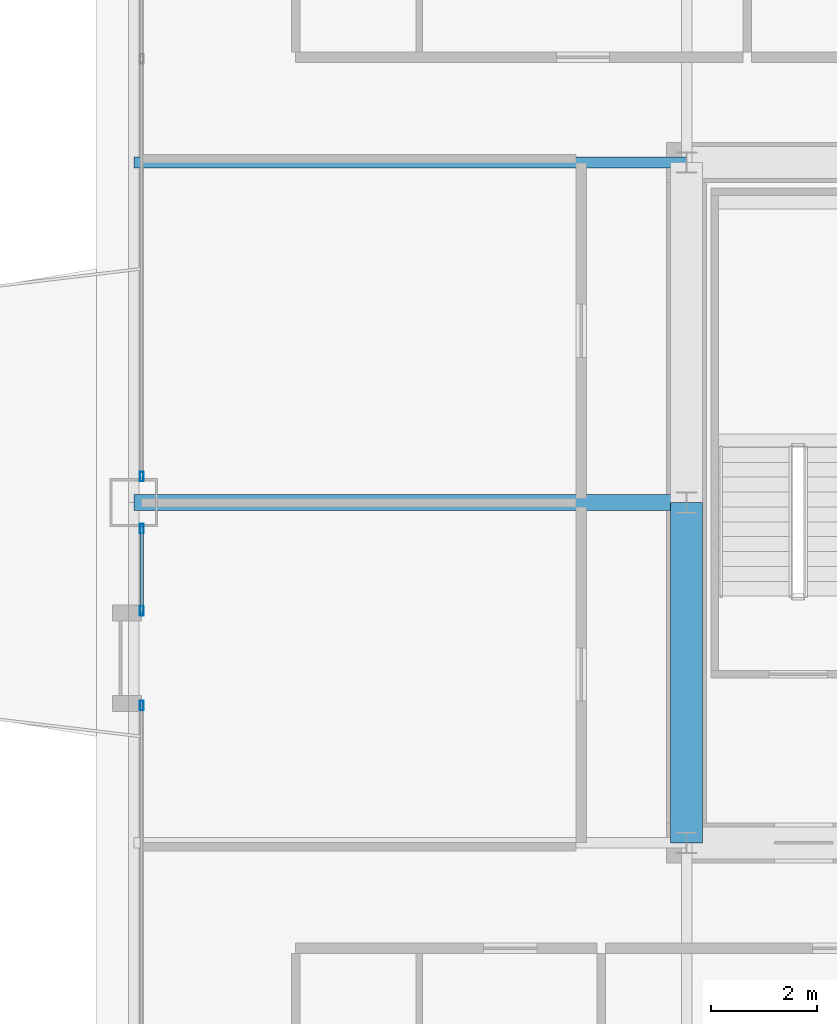
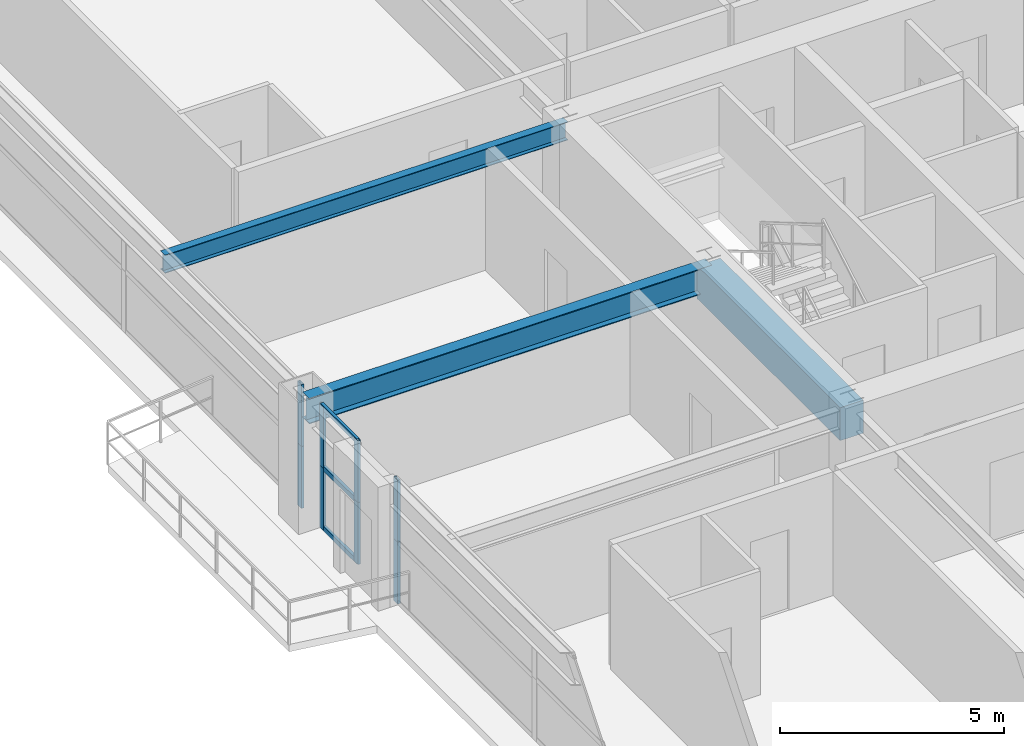
# One storey, part 13 of 42: 11 members, 3 beams, 3 elements without a shape of their own.
"""IFC4 building model written with IfcOpenShell, lengths in metres."""

from ifc_helpers import new_model, si_unit, direction, frame, origin, origin_2d, place, context, subcontext, project, spatial, rectangle, hollow_rectangle, i_section, extrude, source, transform, mapped, material, layer, layer_set, material_profile, profile_set, type_object, element, aggregate, save


model = new_model("IFC4")

# Units and contexts
model_context = context("Model", 3, precision=1e-05, world=origin(), true_north=direction((0.0, 1.0)))
body_context = subcontext(model_context, "Body", "Model", "MODEL_VIEW")
ifc_project = project(units=[si_unit("LENGTHUNIT", "METRE"), si_unit("AREAUNIT", "SQUARE_METRE"), si_unit("VOLUMEUNIT", "CUBIC_METRE"), si_unit("PLANEANGLEUNIT", "RADIAN"), si_unit("MASSUNIT", "GRAM", prefix="KILO"), si_unit("THERMODYNAMICTEMPERATUREUNIT", "KELVIN"), si_unit("POWERUNIT", "WATT")], contexts=[model_context])

# Site, building, storey
site_placement = place(None, origin())
site = spatial("IfcSite", under=ifc_project, at=site_placement, CompositionType="ELEMENT")
building_placement = place(site_placement, origin())
building = spatial("IfcBuilding", under=site, at=building_placement, Name="Yuzanri Waterfront Tower", CompositionType="ELEMENT")
storey_placement = place(building_placement, frame((0.0, 0.0, 145.199951171875)))
storey = spatial("IfcBuildingStorey", under=building, at=storey_placement, Name="L38", CompositionType="ELEMENT", Elevation=145.199951171875)

# Beams
ifc_material_1 = material(Name="Concrete C60", Category="concrete")
ifc_material_profile_1 = material_profile(ifc_material_1, rectangle(XDim=0.60009765625, YDim=0.89990234375, at=origin_2d()), Name="RC 600x900")
ifc_profile_set_1 = profile_set([ifc_material_profile_1], Name="Concrete C60")
beam_type_1 = type_object("IfcBeamType", Name="Core Coupling Lintel Concrete C60 600x900", PredefinedType="LINTEL", material=ifc_profile_set_1)
shared_shape_1 = source(origin(), body_context, "Body", "SweptSolid", [
    extrude(rectangle(XDim=0.60009765625, YDim=0.89990234375, at=origin_2d()), origin(), (0.0, 0.0, 1.0), 6.400146484375),
])
beam_1_placement = place(storey_placement, frame((23.800048828125, 19.39990234375, 2.929931640625), z_axis=(0.0, 1.0, 0.0), x_axis=(-1.0, 0.0, 0.0)))
element("IfcBeam", 1, at=beam_1_placement, inside=storey, type_object=beam_type_1, Name="L38 Core Tie Beam CW1", PredefinedType="LINTEL", context=body_context, shape_type="MappedRepresentation", body=[
    mapped(shared_shape_1, transform((0.0, 0.0, 0.0), scale=1.0)),
])
ifc_material_2 = material(Name="Steel Q355B", Category="steel")
ifc_material_profile_2 = material_profile(ifc_material_2, i_section(OverallWidth=0.300048828125, OverallDepth=0.699951171875, WebThickness=0.012939453125, FlangeThickness=0.02392578125, at=origin_2d()), Name="HN 700x300x13x24")
ifc_profile_set_2 = profile_set([ifc_material_profile_2], Name="Steel Q355B")
beam_type_2 = type_object("IfcBeamType", Name="Primary Floor Girder Q355B HN 700x300", PredefinedType="BEAM", material=ifc_profile_set_2)
shared_shape_2 = source(origin(), body_context, "Body", "SweptSolid", [
    extrude(i_section(OverallWidth=0.300048828125, OverallDepth=0.699951171875, WebThickness=0.012939453125, FlangeThickness=0.02392578125, at=origin_2d()), origin(), (0.0, 0.0, 1.0), 10.400146484375),
])
beam_2_placement = place(storey_placement, frame((23.800048828125, 25.800048828125, 3.030029296875), z_axis=(-1.0, 0.0, 0.0), x_axis=(0.0, -1.0, 0.0)))
element("IfcBeam", 2, at=beam_2_placement, inside=storey, type_object=beam_type_2, Name="L38 West Grid Girder", PredefinedType="BEAM", context=body_context, shape_type="MappedRepresentation", body=[
    mapped(shared_shape_2, transform((0.0, 0.0, 0.0), scale=1.0)),
])
ifc_material_3 = material(Name="Steel Q355B", Category="steel")
ifc_material_profile_3 = material_profile(ifc_material_3, i_section(OverallWidth=0.199951171875, OverallDepth=0.5, WebThickness=0.010009765625, FlangeThickness=0.01611328125, at=origin_2d()), Name="HN 500x200x10x16")
ifc_profile_set_3 = profile_set([ifc_material_profile_3], Name="Steel Q355B")
beam_type_3 = type_object("IfcBeamType", Name="Secondary Floor Beam Q355B HN 500x200", PredefinedType="BEAM", material=ifc_profile_set_3)
shared_shape_3 = source(origin(), body_context, "Body", "SweptSolid", [
    extrude(i_section(OverallWidth=0.199951171875, OverallDepth=0.5, WebThickness=0.010009765625, FlangeThickness=0.01611328125, at=origin_2d()), origin(), (0.0, 0.0, 1.0), 10.400146484375),
])
beam_3_placement = place(storey_placement, frame((23.800048828125, 32.199951171875, 3.130126953125), z_axis=(-1.0, 0.0, 0.0), x_axis=(0.0, -1.0, 0.0)))
element("IfcBeam", 3, at=beam_3_placement, inside=storey, type_object=beam_type_3, Name="L38 West-North Core Line Beam", PredefinedType="BEAM", context=body_context, shape_type="MappedRepresentation", body=[
    mapped(shared_shape_3, transform((0.0, 0.0, 0.0), scale=1.0)),
])

# Curtain wall, members
ifc_material_4 = material(Name="Anodized Architectural Bronze", Category="metal")
ifc_layer = layer(ifc_material_4, 0.159912109375)
ifc_layer_set = layer_set([ifc_layer], Name="Anodized Architectural Bronze")
curtain_wall_type = type_object("IfcCurtainWallType", Name="Anodized Bronze Hotel Upper-Tier Solar-Control Unitized Curtain Wall 7800", PredefinedType="NOTDEFINED", material=ifc_layer_set)
curtain_wall_1_placement = place(storey_placement, origin())
curtain_wall_1 = element("IfcCurtainWall", 4, at=curtain_wall_1_placement, inside=storey, type_object=curtain_wall_type, Name="L38 Curtain Wall CW-L38-WL1", PredefinedType="NOTDEFINED")
ifc_material_5 = material(Name="Anodized Architectural Bronze", Category="metal")
ifc_material_profile_4 = material_profile(ifc_material_5, hollow_rectangle(XDim=0.070068359375, YDim=0.179931640625, WallThickness=0.00390625, at=origin_2d()), Name="CWM 70x180")
ifc_profile_set_4 = profile_set([ifc_material_profile_4], Name="Anodized Architectural Bronze")
member_type_1 = type_object("IfcMemberType", Name="Anodized Bronze Standard Curtain-Wall Mullion 70x180", PredefinedType="MULLION", material=ifc_profile_set_4)
shared_shape_4 = source(origin(), body_context, "Body", "SweptSolid", [
    extrude(hollow_rectangle(XDim=0.070068359375, YDim=0.179931640625, WallThickness=0.00390625, at=origin_2d()), origin(), (0.0, 0.0, 1.0), 1.68798828125),
])
member_1_placement = place(storey_placement, frame((13.550048828125, 21.985107421875, 0.0), z_axis=(0.0, 0.0, 1.0), x_axis=(1.0, 0.0, 0.0)))
member_1 = element("IfcMember", 5, at=member_1_placement, type_object=member_type_1, Name="CW-L38-WL1 Lower Mullion 02", PredefinedType="MULLION", context=body_context, shape_type="MappedRepresentation", body=[
    mapped(shared_shape_4, transform((0.0, 0.0, 0.0), scale=1.0)),
])
member_2_placement = place(storey_placement, frame((13.550048828125, 21.985107421875, 1.692138671875), z_axis=(0.0, 0.0, 1.0), x_axis=(1.0, 0.0, 0.0)))
member_2 = element("IfcMember", 6, at=member_2_placement, type_object=member_type_1, Name="CW-L38-WL1 Upper Mullion 02", PredefinedType="MULLION", context=body_context, shape_type="MappedRepresentation", body=[
    mapped(shared_shape_4, transform((0.0, 0.0, 0.0), scale=1.0)),
])
aggregate(curtain_wall_1, [member_1, member_2])

curtain_wall_2_placement = place(storey_placement, origin())
curtain_wall_2 = element("IfcCurtainWall", 7, at=curtain_wall_2_placement, inside=storey, type_object=curtain_wall_type, Name="L38 Curtain Wall CW-L38-WL2", PredefinedType="NOTDEFINED")
member_3_placement = place(storey_placement, frame((13.550048828125, 23.764892578125, 0.0), z_axis=(0.0, 0.0, 1.0), x_axis=(1.0, 0.0, 0.0)))
member_3 = element("IfcMember", 8, at=member_3_placement, type_object=member_type_1, Name="CW-L38-WL2 Lower Mullion 00", PredefinedType="MULLION", context=body_context, shape_type="MappedRepresentation", body=[
    mapped(shared_shape_4, transform((0.0, 0.0, 0.0), scale=1.0)),
])
member_4_placement = place(storey_placement, frame((13.550048828125, 23.764892578125, 1.692138671875), z_axis=(0.0, 0.0, 1.0), x_axis=(1.0, 0.0, 0.0)))
member_4 = element("IfcMember", 9, at=member_4_placement, type_object=member_type_1, Name="CW-L38-WL2 Upper Mullion 00", PredefinedType="MULLION", context=body_context, shape_type="MappedRepresentation", body=[
    mapped(shared_shape_4, transform((0.0, 0.0, 0.0), scale=1.0)),
])
member_5_placement = place(storey_placement, frame((13.550048828125, 25.31005859375, 0.0), z_axis=(0.0, 0.0, 1.0), x_axis=(1.0, 0.0, 0.0)))
member_5 = element("IfcMember", 10, at=member_5_placement, type_object=member_type_1, Name="CW-L38-WL2 Lower Mullion 01", PredefinedType="MULLION", context=body_context, shape_type="MappedRepresentation", body=[
    mapped(shared_shape_4, transform((0.0, 0.0, 0.0), scale=1.0)),
])
member_6_placement = place(storey_placement, frame((13.550048828125, 25.31005859375, 1.692138671875), z_axis=(0.0, 0.0, 1.0), x_axis=(1.0, 0.0, 0.0)))
member_6 = element("IfcMember", 11, at=member_6_placement, type_object=member_type_1, Name="CW-L38-WL2 Upper Mullion 01", PredefinedType="MULLION", context=body_context, shape_type="MappedRepresentation", body=[
    mapped(shared_shape_4, transform((0.0, 0.0, 0.0), scale=1.0)),
])

curtain_wall_3_placement = place(storey_placement, origin())
curtain_wall_3 = element("IfcCurtainWall", 12, at=curtain_wall_3_placement, inside=storey, type_object=curtain_wall_type, Name="L38 Curtain Wall CW-L38-WR", PredefinedType="NOTDEFINED")
member_7_placement = place(storey_placement, frame((13.550048828125, 26.2900390625, 0.0), z_axis=(0.0, 0.0, 1.0), x_axis=(1.0, 0.0, 0.0)))
member_7 = element("IfcMember", 13, at=member_7_placement, type_object=member_type_1, Name="CW-L38-WR Lower Mullion 00", PredefinedType="MULLION", context=body_context, shape_type="MappedRepresentation", body=[
    mapped(shared_shape_4, transform((0.0, 0.0, 0.0), scale=1.0)),
])
member_8_placement = place(storey_placement, frame((13.550048828125, 26.2900390625, 1.692138671875), z_axis=(0.0, 0.0, 1.0), x_axis=(1.0, 0.0, 0.0)))
member_8 = element("IfcMember", 14, at=member_8_placement, type_object=member_type_1, Name="CW-L38-WR Upper Mullion 00", PredefinedType="MULLION", context=body_context, shape_type="MappedRepresentation", body=[
    mapped(shared_shape_4, transform((0.0, 0.0, 0.0), scale=1.0)),
])
aggregate(curtain_wall_3, [member_7, member_8])

# Member
ifc_material_6 = material(Name="Anodized Architectural Bronze", Category="metal")
ifc_material_profile_5 = material_profile(ifc_material_6, hollow_rectangle(XDim=0.070068359375, YDim=0.135009765625, WallThickness=0.00341796875, at=origin_2d()), Name="CWT 70x135")
ifc_profile_set_5 = profile_set([ifc_material_profile_5], Name="Anodized Architectural Bronze")
member_type_2 = type_object("IfcMemberType", Name="Anodized Bronze Standard Curtain-Wall Transom 70x135", PredefinedType="USERDEFINED", material=ifc_profile_set_5)
shared_shape_5 = source(origin(), body_context, "Body", "SweptSolid", [
    extrude(hollow_rectangle(XDim=0.070068359375, YDim=0.135009765625, WallThickness=0.00341796875, at=origin_2d()), origin(), (0.0, 0.0, 1.0), 1.625),
])
member_9_placement = place(storey_placement, frame((13.550048828125, 23.72509765625, 0.050048828125), z_axis=(0.0, 1.0, 0.0), x_axis=(-1.0, 0.0, 0.0)))
member_9 = element("IfcMember", 15, at=member_9_placement, type_object=member_type_2, Name="CW-L38-WL2 Transom 1", ObjectType="TRANSOM", PredefinedType="USERDEFINED", context=body_context, shape_type="MappedRepresentation", body=[
    mapped(shared_shape_5, transform((0.0, 0.0, 0.0), scale=1.0)),
])

member_10_placement = place(storey_placement, frame((13.550048828125, 23.72509765625, 1.68994140625), z_axis=(0.0, 1.0, 0.0), x_axis=(-1.0, 0.0, 0.0)))
member_10 = element("IfcMember", 16, at=member_10_placement, type_object=member_type_2, Name="CW-L38-WL2 Transom 2", ObjectType="TRANSOM", PredefinedType="USERDEFINED", context=body_context, shape_type="MappedRepresentation", body=[
    mapped(shared_shape_5, transform((0.0, 0.0, 0.0), scale=1.0)),
])

member_11_placement = place(storey_placement, frame((13.550048828125, 23.72509765625, 3.330078125), z_axis=(0.0, 1.0, 0.0), x_axis=(-1.0, 0.0, 0.0)))
member_11 = element("IfcMember", 17, at=member_11_placement, type_object=member_type_2, Name="CW-L38-WL2 Transom 3", ObjectType="TRANSOM", PredefinedType="USERDEFINED", context=body_context, shape_type="MappedRepresentation", body=[
    mapped(shared_shape_5, transform((0.0, 0.0, 0.0), scale=1.0)),
])

aggregate(curtain_wall_2, [member_3, member_4, member_5, member_6, member_9, member_10, member_11])

save(model, "model.ifc")
